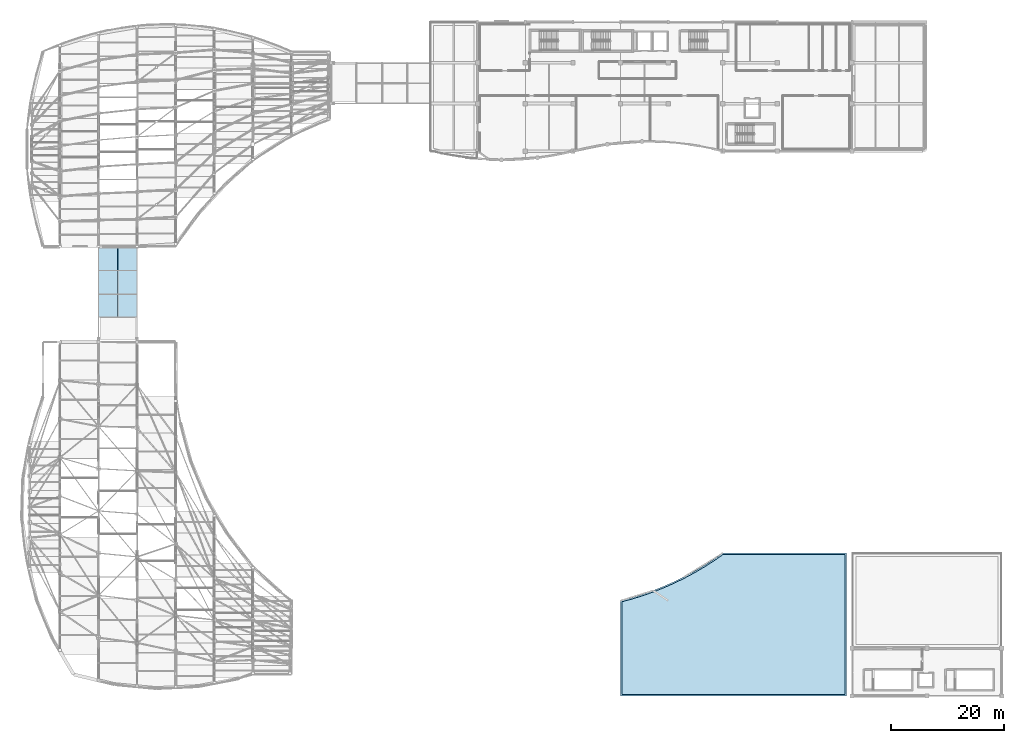
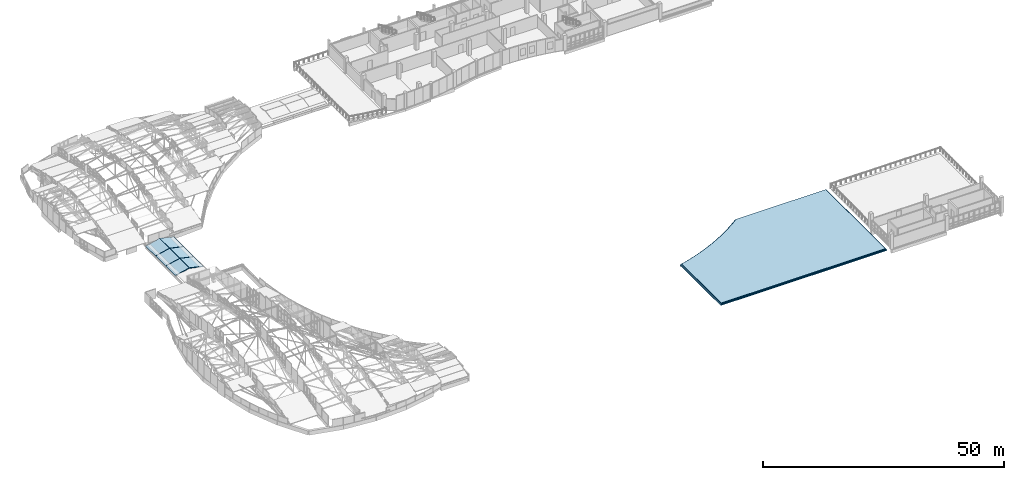
# One storey, part 159 of 188: 8 slabs.
"""IFC4 building model written with IfcOpenShell, lengths in metres."""

from ifc_helpers import new_model, si_unit, direction, frame, origin, place, context, subcontext, project, spatial, polyline, outline, extrude, material, layer, layer_set, type_object, element, save


model = new_model("IFC4")

# Units and contexts
model_context = context("Model", 3, precision=1e-05, world=origin(), true_north=direction((0.0, 1.0)))
body_context = subcontext(model_context, "Body", "Model", "MODEL_VIEW")
ifc_project = project(units=[si_unit("LENGTHUNIT", "METRE"), si_unit("AREAUNIT", "SQUARE_METRE"), si_unit("VOLUMEUNIT", "CUBIC_METRE"), si_unit("PLANEANGLEUNIT", "RADIAN"), si_unit("MASSUNIT", "GRAM", prefix="KILO")], contexts=[model_context])

# Site, building, storey
site_placement = place(None, origin())
site = spatial("IfcSite", under=ifc_project, at=site_placement, CompositionType="ELEMENT")
building_placement = place(site_placement, origin())
building = spatial("IfcBuilding", under=site, at=building_placement, Name="Kisaragi Civic Commons", CompositionType="ELEMENT")
storey_placement = place(building_placement, frame((0.0, 0.0, 9.60009765625)))
storey = spatial("IfcBuildingStorey", under=building, at=storey_placement, Name="L02", CompositionType="ELEMENT", Elevation=9.60009765625)

# Slabs
ifc_material = material(Name="Concrete Fc30", Category="concrete")
ifc_layer_1 = layer(ifc_material, 0.219970703125, Name="Concrete Fc30", Category="concrete")
ifc_layer_set_1 = layer_set([ifc_layer_1], Name="Concrete Fc30")
slab_type_1 = type_object("IfcSlabType", Name="SL-RF1", PredefinedType="ROOF", material=ifc_layer_set_1)
slab_1_placement = place(storey_placement, frame((0.0, 0.0, -0.22021484375)))
element("IfcSlab", 1, at=slab_1_placement, inside=storey, type_object=slab_type_1, Name="V3 Dining hall insulated roof slab", PredefinedType="ROOF", context=body_context, shape_type="SweptSolid", body=[
    extrude(outline(polyline([(145.39990234375, 0.0), (145.39990234375, 25.199951171875), (123.60009765625, 25.199951171875), (121.96142578125, 24.055908203125), (120.280029296875, 22.975341796875), (118.55859375, 21.96044921875), (116.79931640625, 21.01220703125), (115.0048828125, 20.132568359375), (113.177978515625, 19.322509765625), (111.3212890625, 18.5830078125), (109.4375, 17.91552734375), (107.529296875, 17.32080078125), (105.60009765625, 16.800048828125), (105.60009765625, 0.0), (145.39990234375, 0.0)])), origin(), (0.0, 0.0, 1.0), 0.22021484375),
])
ifc_layer_2 = layer(ifc_material, 0.18994140625, Name="Concrete Fc30", Category="concrete")
ifc_layer_set_2 = layer_set([ifc_layer_2], Name="Concrete Fc30")
slab_type_2 = type_object("IfcSlabType", Name="SL-RF2", PredefinedType="ROOF", material=ifc_layer_set_2)
for number, where, z_axis, x_axis, name in (
    (2, (13.60009765625, 66.830078125, -0.89013671875), (-0.214817238957, 0.0, 0.976654265258), (0.976654265258, 0.0, 0.214817238957), "BR-V2-V1 gable roof facet 7"),
    (3, (17.030029296875, 66.830078125, -0.14892578125), (0.214817238957, 0.0, 0.976654265258), (0.976654265258, 0.0, -0.214817238957), "BR-V2-V1 gable roof facet 8"),
):
    element("IfcSlab", number, at=place(storey_placement, frame(where, z_axis=z_axis, x_axis=x_axis)), inside=storey, type_object=slab_type_2, Name=name, PredefinedType="ROOF", context=body_context, shape_type="SweptSolid", body=[
        extrude(outline(polyline([(0.0, 0.0), (3.4504257716873474, 0.0), (3.4504257716873474, 3.939941406250001), (0.0, 3.939941406250001), (0.0, 0.0)])), origin(), (0.0, 0.0, -1.0), 0.18994140625),
    ])
for number, where, z_axis, x_axis, name in (
    (4, (13.60009765625, 70.830078125, -0.89013671875), (-0.214817238957, 0.0, 0.976654265258), (0.976654265258, 0.0, 0.214817238957), "BR-V2-V1 gable roof facet 9"),
    (5, (17.030029296875, 70.830078125, -0.14892578125), (0.214817238957, 0.0, 0.976654265258), (0.976654265258, 0.0, -0.214817238957), "BR-V2-V1 gable roof facet 10"),
    (6, (13.60009765625, 75.030029296875, -0.89013671875), (-0.214817238957, 0.0, 0.976654265258), (0.976654265258, 0.0, 0.214817238957), "BR-V2-V1 gable roof facet 11"),
    (7, (17.030029296875, 75.030029296875, -0.14892578125), (0.214817238957, 0.0, 0.976654265258), (0.976654265258, 0.0, -0.214817238957), "BR-V2-V1 gable roof facet 12"),
):
    element("IfcSlab", number, at=place(storey_placement, frame(where, z_axis=z_axis, x_axis=x_axis)), inside=storey, type_object=slab_type_2, Name=name, PredefinedType="ROOF", context=body_context, shape_type="SweptSolid", body=[
        extrude(outline(polyline([(0.0, 0.0), (3.4504257716873474, 0.0), (3.4504257716873474, 4.139892578125001), (0.0, 4.139892578125001), (0.0, 0.0)])), origin(), (0.0, 0.0, -1.0), 0.18994140625),
    ])
ifc_layer_3 = layer(ifc_material, 0.218017578125, Name="Concrete Fc30", Category="concrete")
ifc_layer_set_3 = layer_set([ifc_layer_3], Name="Concrete Fc30")
slab_type_3 = type_object("IfcSlabType", Name="SL-WV3", PredefinedType="ROOF", material=ifc_layer_set_3)
slab_2_placement = place(storey_placement, origin())
element("IfcSlab", 8, at=slab_2_placement, inside=storey, type_object=slab_type_3, Name="V3 Dining hall acoustic concrete over-roof deck", PredefinedType="ROOF", context=body_context, shape_type="SweptSolid", body=[
    extrude(outline(polyline([(145.14990234375, 0.25), (145.14990234375, 24.949951171875), (123.6787109375, 24.949951171875), (122.1044921875, 23.850830078125), (122.0966796875, 23.845458984375), (120.415283203125, 22.76513671875), (120.406982421875, 22.760009765625), (118.685546875, 21.7451171875), (118.67724609375, 21.740234375), (116.91796875, 20.792236328125), (116.909423828125, 20.787841796875), (115.114990234375, 19.907958984375), (115.106201171875, 19.904052734375), (113.279296875, 19.093994140625), (113.2705078125, 19.090087890625), (111.413818359375, 18.3505859375), (111.40478515625, 18.347412109375), (109.52099609375, 17.679931640625), (109.51171875, 17.6767578125), (107.603759765625, 17.082275390625), (107.594482421875, 17.07958984375), (105.85009765625, 16.6083984375), (105.85009765625, 0.25), (145.14990234375, 0.25)])), origin(), (0.0, 0.0, 1.0), 0.218017578125),
])

save(model, "model.ifc")
